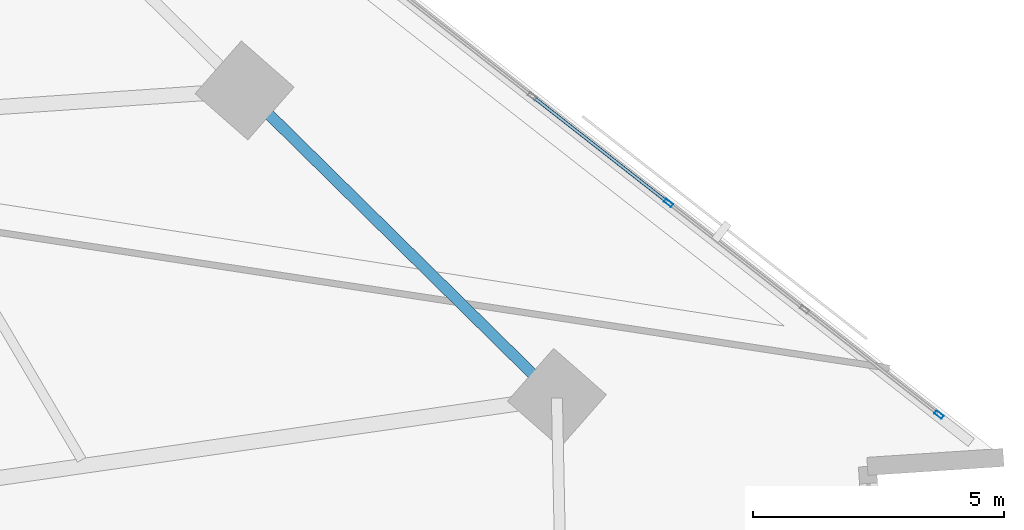
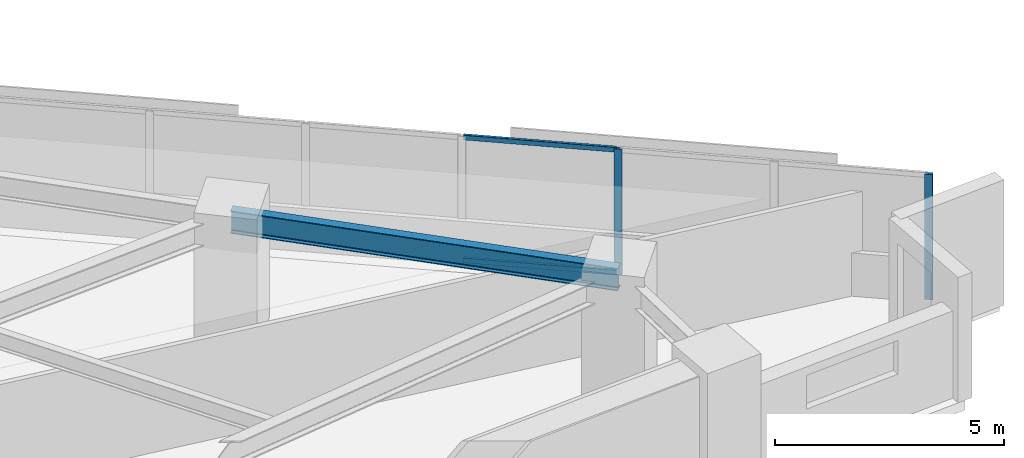
# One storey, part 4 of 16: 4 members, 1 beam, 1 element without a shape of its own.
"""IFC4 building model written with IfcOpenShell, lengths in metres."""

from ifc_helpers import new_model, si_unit, direction, frame, origin, origin_2d, place, context, subcontext, project, spatial, hollow_rectangle, i_section, extrude, material, material_profile, profile_set, type_object, element, aggregate, save


model = new_model("IFC4")

# Units and contexts
model_context = context("Model", 3, precision=1e-05, world=origin(), true_north=direction((0.0, 1.0)))
body_context = subcontext(model_context, "Body", "Model", "MODEL_VIEW")
ifc_project = project(units=[si_unit("LENGTHUNIT", "METRE"), si_unit("AREAUNIT", "SQUARE_METRE"), si_unit("VOLUMEUNIT", "CUBIC_METRE"), si_unit("PLANEANGLEUNIT", "RADIAN"), si_unit("MASSUNIT", "GRAM", prefix="KILO")], contexts=[model_context])

# Site, building, storey
site_placement = place(None, origin())
site = spatial("IfcSite", under=ifc_project, at=site_placement, CompositionType="ELEMENT")
building_placement = place(site_placement, origin())
building = spatial("IfcBuilding", under=site, at=building_placement, Name="Narakoshi Arena Tower", CompositionType="ELEMENT")
storey_placement = place(building_placement, frame((0.0, 0.0, 88.5)))
storey = spatial("IfcBuildingStorey", under=building, at=storey_placement, Name="L23", CompositionType="ELEMENT", Elevation=88.5)

# Beam
ifc_material_1 = material(Name="Structural steel S355J2", Category="steel")
ifc_material_profile_1 = material_profile(ifc_material_1, i_section(OverallWidth=0.219970703125, OverallDepth=0.60009765625, WebThickness=0.011962890625, FlangeThickness=0.01904296875, FilletRadius=0.02392578125, at=origin_2d()), Name="IPE600")
ifc_profile_set_1 = profile_set([ifc_material_profile_1], Name="Structural steel S355J2")
beam_type = type_object("IfcBeamType", Name="BM-EDGE-600", PredefinedType="BEAM", material=ifc_profile_set_1)
beam_placement = place(storey_placement, frame((113.21630859375, 38.669189453125, 3.0400390625), z_axis=(-0.712519972485, 0.701651828765, 0.0), x_axis=(-0.701651828765, -0.712519972485, 0.0)))
element("IfcBeam", 1, at=beam_placement, inside=storey, type_object=beam_type, Name="L23 Perimeter Edge Girder 05", PredefinedType="BEAM", context=body_context, shape_type="SweptSolid", body=[
    extrude(i_section(OverallWidth=0.219970703125, OverallDepth=0.60009765625, WebThickness=0.011962890625, FlangeThickness=0.01904296875, FilletRadius=0.02392578125, at=origin_2d()), origin(), (0.0, 0.0, 1.0), 8.738525390625),
])

# Curtain wall, members
ifc_material_2 = material(Name="Anodised bronze aluminium 6063-T6", Category="aluminium")
curtain_wall_type = type_object("IfcCurtainWallType", Name="CW-HYP-LOW", PredefinedType="NOTDEFINED", material=ifc_material_2)
curtain_wall_placement = place(storey_placement, origin())
curtain_wall = element("IfcCurtainWall", 2, at=curtain_wall_placement, inside=storey, type_object=curtain_wall_type, Name="L23 Folded Hypotenuse Curtain Wall 1-1", PredefinedType="NOTDEFINED")
ifc_material_profile_2 = material_profile(ifc_material_2, hollow_rectangle(XDim=0.074951171875, YDim=0.179931640625, WallThickness=0.00390625, OuterFilletRadius=0.0048828125, at=origin_2d()), Name="MUL180x75x4")
ifc_profile_set_2 = profile_set([ifc_material_profile_2], Name="Anodised bronze aluminium 6063-T6")
member_type_1 = type_object("IfcMemberType", Name="MEM-MUL-180", PredefinedType="MULLION", material=ifc_profile_set_2)
member_1_placement = place(storey_placement, frame((120.83251953125, 38.336181640625, 0.0), z_axis=(0.0, 0.0, 1.0), x_axis=(-0.616458234641, -0.787387607817, 0.0)))
member_1 = element("IfcMember", 3, at=member_1_placement, type_object=member_type_1, Name="CW-01 mullion 1", PredefinedType="MULLION", context=body_context, shape_type="SweptSolid", body=[
    extrude(hollow_rectangle(XDim=0.074951171875, YDim=0.179931640625, WallThickness=0.00390625, OuterFilletRadius=0.0048828125, at=origin_2d()), origin(), (0.0, 0.0, 1.0), 3.340087890625),
])
member_2_placement = place(storey_placement, frame((115.43896484375, 42.558837890625, 0.0), z_axis=(0.0, 0.0, 1.0), x_axis=(-0.616458234641, -0.787387607817, 0.0)))
member_2 = element("IfcMember", 4, at=member_2_placement, type_object=member_type_1, Name="CW-01 mullion 3", PredefinedType="MULLION", context=body_context, shape_type="SweptSolid", body=[
    extrude(hollow_rectangle(XDim=0.074951171875, YDim=0.179931640625, WallThickness=0.00390625, OuterFilletRadius=0.0048828125, at=origin_2d()), origin(), (0.0, 0.0, 1.0), 3.340087890625),
])
ifc_material_profile_3 = material_profile(ifc_material_2, hollow_rectangle(XDim=0.06494140625, YDim=0.1298828125, WallThickness=0.00390625, OuterFilletRadius=0.0048828125, at=origin_2d()), Name="TRN130x65x4")
ifc_profile_set_3 = profile_set([ifc_material_profile_3], Name="Anodised bronze aluminium 6063-T6")
member_type_2 = type_object("IfcMemberType", Name="MEM-TRN-130", PredefinedType="USERDEFINED", material=ifc_profile_set_3)
member_3_placement = place(storey_placement, frame((115.409423828125, 42.58203125, 0.032470703125), z_axis=(-0.787373456673, 0.616476309137, 0.0), x_axis=(-0.616476309137, -0.787373456673, 0.0)))
member_3 = element("IfcMember", 5, at=member_3_placement, type_object=member_type_2, Name="CW-01 transom 3.1", ObjectType="TRANSOM", PredefinedType="USERDEFINED", context=body_context, shape_type="SweptSolid", body=[
    extrude(hollow_rectangle(XDim=0.06494140625, YDim=0.1298828125, WallThickness=0.00390625, OuterFilletRadius=0.0048828125, at=origin_2d()), origin(), (0.0, 0.0, 1.0), 3.36865234375),
])
member_4_placement = place(storey_placement, frame((115.409423828125, 42.58203125, 3.3076171875), z_axis=(-0.787373456673, 0.616476309137, 0.0), x_axis=(-0.616476309137, -0.787373456673, 0.0)))
member_4 = element("IfcMember", 6, at=member_4_placement, type_object=member_type_2, Name="CW-01 transom 3.2", ObjectType="TRANSOM", PredefinedType="USERDEFINED", context=body_context, shape_type="SweptSolid", body=[
    extrude(hollow_rectangle(XDim=0.06494140625, YDim=0.1298828125, WallThickness=0.00390625, OuterFilletRadius=0.0048828125, at=origin_2d()), origin(), (0.0, 0.0, 1.0), 3.36865234375),
])
aggregate(curtain_wall, [member_1, member_2, member_3, member_4])

save(model, "model.ifc")
